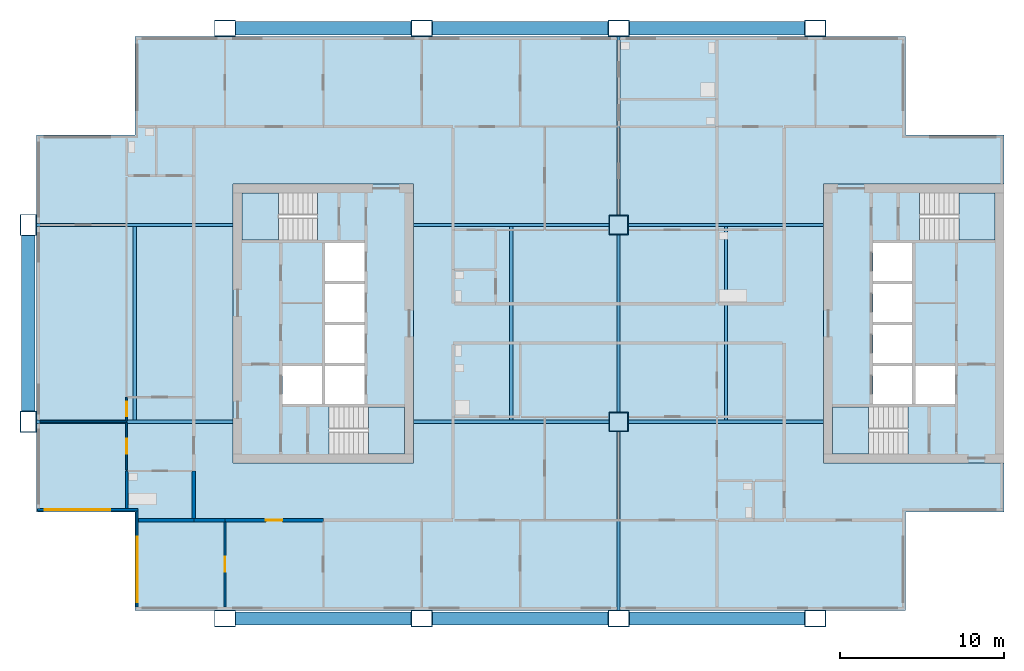
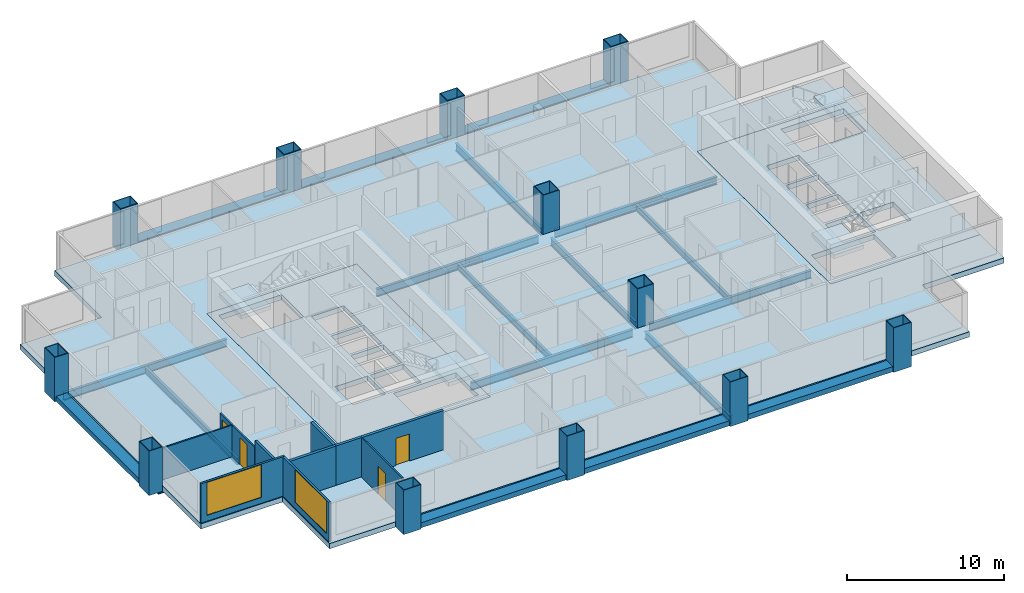
# One storey, part 1 of 9: 19 beams, 12 columns, 11 walls, 7 slabs, 4 doors, 2 windows, 6 openings, 4 elements without a shape of their own.
"""IFC4 building model written with IfcOpenShell, lengths in metres."""

from ifc_helpers import new_model, si_unit, direction, frame, frame_2d, origin, origin_2d, place, context, subcontext, project, spatial, polyline, rectangle, hollow_rectangle, i_section, outline, extrude, material, layer, layer_set, material_profile, profile_set, type_object, element, fill, aggregate, save


model = new_model("IFC4")

# Units and contexts
model_context = context("Model", 3, precision=1e-05, world=origin(), true_north=direction((0.0, 1.0)))
body_context = subcontext(model_context, "Body", "Model", "MODEL_VIEW")
ifc_project = project(units=[si_unit("LENGTHUNIT", "METRE"), si_unit("AREAUNIT", "SQUARE_METRE"), si_unit("VOLUMEUNIT", "CUBIC_METRE"), si_unit("PLANEANGLEUNIT", "RADIAN"), si_unit("MASSUNIT", "GRAM", prefix="KILO")], contexts=[model_context])

# Site, building, storey
site_placement = place(None, origin())
site = spatial("IfcSite", under=ifc_project, at=site_placement, CompositionType="ELEMENT")
building_placement = place(site_placement, origin())
building = spatial("IfcBuilding", under=site, at=building_placement, Name="Kitamizu Gate Tower and Museum", CompositionType="ELEMENT")
storey_placement = place(building_placement, frame((0.0, 0.0, 178.949951171875)))
storey = spatial("IfcBuildingStorey", under=building, at=storey_placement, Name="L47", CompositionType="ELEMENT", Elevation=178.949951171875)

# Columns
ifc_material_1 = material(Name="Steel SM490A bronze coated", Category="steel")
ifc_material_profile_1 = material_profile(ifc_material_1, hollow_rectangle(XDim=1.300048828125, YDim=1.0, WallThickness=0.050048828125, at=origin_2d()), Name="BOX 1300x1000x50")
ifc_profile_set_1 = profile_set([ifc_material_profile_1], Name="Steel SM490A bronze coated")
column_type_1 = type_object("IfcColumnType", Name="Exoskeleton column XC6 BOX 1300x1000x50", PredefinedType="COLUMN", material=ifc_profile_set_1)
for number, where, z_axis, x_axis, name in (
    (1, (0.0, 24.0, -0.39990234375), (0.0, 0.0, 1.0), (0.0, 1.0, 0.0), "Column XC6 1C L47"),
    (2, (0.0, 36.0, -0.39990234375), (0.0, 0.0, 1.0), (0.0, 1.0, 0.0), "Column XC6 1D L47"),
    (3, (12.0, 12.0, -0.39990234375), (0.0, 0.0, 1.0), (1.0, 0.0, 0.0), "Column XC6 2B L47"),
    (4, (12.0, 48.0, -0.39990234375), (0.0, 0.0, 1.0), (1.0, 0.0, 0.0), "Column XC6 2E L47"),
    (5, (24.0, 12.0, -0.39990234375), (0.0, 0.0, 1.0), (1.0, 0.0, 0.0), "Column XC6 3B L47"),
    (6, (24.0, 48.0, -0.39990234375), (0.0, 0.0, 1.0), (1.0, 0.0, 0.0), "Column XC6 3E L47"),
    (7, (36.0, 12.0, -0.39990234375), (0.0, 0.0, 1.0), (1.0, 0.0, 0.0), "Column XC6 4B L47"),
    (8, (36.0, 48.0, -0.39990234375), (0.0, 0.0, 1.0), (1.0, 0.0, 0.0), "Column XC6 4E L47"),
    (9, (48.0, 12.0, -0.39990234375), (0.0, 0.0, 1.0), (1.0, 0.0, 0.0), "Column XC6 5B L47"),
    (10, (48.0, 48.0, -0.39990234375), (0.0, 0.0, 1.0), (1.0, 0.0, 0.0), "Column XC6 5E L47"),
):
    element("IfcColumn", number, at=place(storey_placement, frame(where, z_axis=z_axis, x_axis=x_axis)), inside=storey, type_object=column_type_1, Name=name, PredefinedType="COLUMN", context=body_context, shape_type="SweptSolid", body=[
        extrude(hollow_rectangle(XDim=1.300048828125, YDim=1.0, WallThickness=0.050048828125, at=origin_2d()), origin(), (0.0, 0.0, 1.0), 3.449951171875),
    ])
ifc_material_2 = material(Name="Steel SM490A", Category="steel")
ifc_material_profile_2 = material_profile(ifc_material_2, hollow_rectangle(XDim=1.199951171875, YDim=1.199951171875, WallThickness=0.050048828125, at=origin_2d()), Name="BOX 1200x1200x50")
ifc_profile_set_2 = profile_set([ifc_material_profile_2], Name="Steel SM490A")
column_type_2 = type_object("IfcColumnType", Name="Interior column IC4 BOX 1200x1200x50", PredefinedType="COLUMN", material=ifc_profile_set_2)
for number, where, z_axis, x_axis, name in (
    (11, (36.0, 24.0, 0.0), (0.0, 0.0, 1.0), (1.0, 0.0, 0.0), "Column IC4 4C L47"),
    (12, (36.0, 36.0, 0.0), (0.0, 0.0, 1.0), (1.0, 0.0, 0.0), "Column IC4 4D L47"),
):
    element("IfcColumn", number, at=place(storey_placement, frame(where, z_axis=z_axis, x_axis=x_axis)), inside=storey, type_object=column_type_2, Name=name, PredefinedType="COLUMN", context=body_context, shape_type="SweptSolid", body=[
        extrude(hollow_rectangle(XDim=1.199951171875, YDim=1.199951171875, WallThickness=0.050048828125, at=origin_2d()), origin(), (0.0, 0.0, 1.0), 3.050048828125),
    ])

# Beams
ifc_material_3 = material(Name="Steel SM490A bronze coated", Category="steel")
ifc_material_profile_3 = material_profile(ifc_material_3, hollow_rectangle(XDim=0.800048828125, YDim=0.39990234375, WallThickness=0.0400390625, at=origin_2d()), Name="BOX 800x400x40")
ifc_profile_set_3 = profile_set([ifc_material_profile_3], Name="Steel SM490A bronze coated")
beam_type_1 = type_object("IfcBeamType", Name="Exoskeleton spandrel beam SB1 BOX 800x400x40", PredefinedType="SPANDREL", material=ifc_profile_set_3)
for number, where, z_axis, x_axis, name in (
    (13, (12.64990234375, 12.0, -0.199951171875), (1.0, 0.0, 0.0), (0.0, 1.0, 0.0), "Exoskeleton spandrel beam south 12 L47"),
    (14, (24.64990234375, 12.0, -0.199951171875), (1.0, 0.0, 0.0), (0.0, 1.0, 0.0), "Exoskeleton spandrel beam south 24 L47"),
    (15, (36.64990234375, 12.0, -0.199951171875), (1.0, 0.0, 0.0), (0.0, 1.0, 0.0), "Exoskeleton spandrel beam south 36 L47"),
    (16, (12.64990234375, 48.0, -0.199951171875), (1.0, 0.0, 0.0), (0.0, 1.0, 0.0), "Exoskeleton spandrel beam north 12 L47"),
    (17, (24.64990234375, 48.0, -0.199951171875), (1.0, 0.0, 0.0), (0.0, 1.0, 0.0), "Exoskeleton spandrel beam north 24 L47"),
    (18, (36.64990234375, 48.0, -0.199951171875), (1.0, 0.0, 0.0), (0.0, 1.0, 0.0), "Exoskeleton spandrel beam north 36 L47"),
    (19, (0.0, 24.64990234375, -0.199951171875), (0.0, 1.0, 0.0), (-1.0, 0.0, 0.0), "Exoskeleton spandrel beam west 24 L47"),
):
    element("IfcBeam", number, at=place(storey_placement, frame(where, z_axis=z_axis, x_axis=x_axis)), inside=storey, type_object=beam_type_1, Name=name, PredefinedType="SPANDREL", context=body_context, shape_type="SweptSolid", body=[
        extrude(hollow_rectangle(XDim=0.800048828125, YDim=0.39990234375, WallThickness=0.0400390625, at=origin_2d()), origin(), (0.0, 0.0, 1.0), 10.7001953125),
    ])
ifc_material_4 = material(Name="Steel SM490A", Category="steel")
ifc_material_profile_4 = material_profile(ifc_material_4, i_section(OverallWidth=0.199951171875, OverallDepth=0.5, WebThickness=0.010009765625, FlangeThickness=0.01611328125, FilletRadius=0.02001953125, at=origin_2d()), Name="H-500x200x10x16")
ifc_profile_set_4 = profile_set([ifc_material_profile_4], Name="Steel SM490A")
beam_type_2 = type_object("IfcBeamType", Name="Floor beam FB1 H 500x200x10x16", PredefinedType="BEAM", material=ifc_profile_set_4)
for number, where, z_axis, x_axis, name in (
    (20, (6.5, 24.10009765625, -0.64990234375), (0.0, 1.0, 0.0), (-1.0, 0.0, 0.0), "Floor beam FB1 L47-1"),
    (21, (29.449951171875, 24.10009765625, -0.64990234375), (0.0, 1.0, 0.0), (-1.0, 0.0, 0.0), "Floor beam FB1 L47-2"),
    (22, (42.550048828125, 24.10009765625, -0.64990234375), (0.0, 1.0, 0.0), (-1.0, 0.0, 0.0), "Floor beam FB1 L47-3"),
):
    element("IfcBeam", number, at=place(storey_placement, frame(where, z_axis=z_axis, x_axis=x_axis)), inside=storey, type_object=beam_type_2, Name=name, PredefinedType="BEAM", context=body_context, shape_type="SweptSolid", body=[
        extrude(i_section(OverallWidth=0.199951171875, OverallDepth=0.5, WebThickness=0.010009765625, FlangeThickness=0.01611328125, FilletRadius=0.02001953125, at=origin_2d()), origin(), (0.0, 0.0, 1.0), 11.7998046875),
    ])
ifc_material_5 = material(Name="Steel SM490A", Category="steel")
ifc_material_profile_5 = material_profile(ifc_material_5, i_section(OverallWidth=0.199951171875, OverallDepth=0.60009765625, WebThickness=0.010986328125, FlangeThickness=0.01708984375, FilletRadius=0.02197265625, at=origin_2d()), Name="H-600x200x11x17")
ifc_profile_set_5 = profile_set([ifc_material_profile_5], Name="Steel SM490A")
beam_type_3 = type_object("IfcBeamType", Name="Floor girder FG1 H 600x200x11x17", PredefinedType="BEAM", material=ifc_profile_set_5)
beam_1_placement = place(storey_placement, frame((36.0, 12.5, -0.699951171875), z_axis=(0.0, 1.0, 0.0), x_axis=(-1.0, 0.0, 0.0)))
element("IfcBeam", 23, at=beam_1_placement, inside=storey, type_object=beam_type_3, Name="Floor girder FG1 x36 L47", PredefinedType="BEAM", context=body_context, shape_type="SweptSolid", body=[
    extrude(i_section(OverallWidth=0.199951171875, OverallDepth=0.60009765625, WebThickness=0.010986328125, FlangeThickness=0.01708984375, FilletRadius=0.02197265625, at=origin_2d()), origin(), (0.0, 0.0, 1.0), 10.89990234375),
])
beam_2_placement = place(storey_placement, frame((36.0, 24.60009765625, -0.699951171875), z_axis=(0.0, 1.0, 0.0), x_axis=(-1.0, 0.0, 0.0)))
element("IfcBeam", 24, at=beam_2_placement, inside=storey, type_object=beam_type_3, Name="Floor girder FG1 x36 L47", PredefinedType="BEAM", context=body_context, shape_type="SweptSolid", body=[
    extrude(i_section(OverallWidth=0.199951171875, OverallDepth=0.60009765625, WebThickness=0.010986328125, FlangeThickness=0.01708984375, FilletRadius=0.02197265625, at=origin_2d()), origin(), (0.0, 0.0, 1.0), 10.7998046875),
])
beam_3_placement = place(storey_placement, frame((36.0, 36.60009765625, -0.699951171875), z_axis=(0.0, 1.0, 0.0), x_axis=(-1.0, 0.0, 0.0)))
element("IfcBeam", 25, at=beam_3_placement, inside=storey, type_object=beam_type_3, Name="Floor girder FG1 x36 L47", PredefinedType="BEAM", context=body_context, shape_type="SweptSolid", body=[
    extrude(i_section(OverallWidth=0.199951171875, OverallDepth=0.60009765625, WebThickness=0.010986328125, FlangeThickness=0.01708984375, FilletRadius=0.02197265625, at=origin_2d()), origin(), (0.0, 0.0, 1.0), 10.89990234375),
])
beam_4_placement = place(storey_placement, frame((0.5, 24.0, -0.699951171875), z_axis=(1.0, 0.0, 0.0), x_axis=(0.0, 1.0, 0.0)))
element("IfcBeam", 26, at=beam_4_placement, inside=storey, type_object=beam_type_3, Name="Floor girder FG1 y24 L47", PredefinedType="BEAM", context=body_context, shape_type="SweptSolid", body=[
    extrude(i_section(OverallWidth=0.199951171875, OverallDepth=0.60009765625, WebThickness=0.010986328125, FlangeThickness=0.01708984375, FilletRadius=0.02197265625, at=origin_2d()), origin(), (0.0, 0.0, 1.0), 12.0),
])
for number, where, z_axis, x_axis, name in (
    (27, (23.5, 24.0, -0.699951171875), (1.0, 0.0, 0.0), (0.0, 1.0, 0.0), "Floor girder FG1 y24 L47"),
    (28, (36.60009765625, 24.0, -0.699951171875), (1.0, 0.0, 0.0), (0.0, 1.0, 0.0), "Floor girder FG1 y24 L47"),
):
    element("IfcBeam", number, at=place(storey_placement, frame(where, z_axis=z_axis, x_axis=x_axis)), inside=storey, type_object=beam_type_3, Name=name, PredefinedType="BEAM", context=body_context, shape_type="SweptSolid", body=[
        extrude(i_section(OverallWidth=0.199951171875, OverallDepth=0.60009765625, WebThickness=0.010986328125, FlangeThickness=0.01708984375, FilletRadius=0.02197265625, at=origin_2d()), origin(), (0.0, 0.0, 1.0), 11.89990234375),
    ])
beam_5_placement = place(storey_placement, frame((0.5, 36.0, -0.699951171875), z_axis=(1.0, 0.0, 0.0), x_axis=(0.0, 1.0, 0.0)))
element("IfcBeam", 29, at=beam_5_placement, inside=storey, type_object=beam_type_3, Name="Floor girder FG1 y36 L47", PredefinedType="BEAM", context=body_context, shape_type="SweptSolid", body=[
    extrude(i_section(OverallWidth=0.199951171875, OverallDepth=0.60009765625, WebThickness=0.010986328125, FlangeThickness=0.01708984375, FilletRadius=0.02197265625, at=origin_2d()), origin(), (0.0, 0.0, 1.0), 12.0),
])
for number, where, z_axis, x_axis, name in (
    (30, (23.5, 36.0, -0.699951171875), (1.0, 0.0, 0.0), (0.0, 1.0, 0.0), "Floor girder FG1 y36 L47"),
    (31, (36.60009765625, 36.0, -0.699951171875), (1.0, 0.0, 0.0), (0.0, 1.0, 0.0), "Floor girder FG1 y36 L47"),
):
    element("IfcBeam", number, at=place(storey_placement, frame(where, z_axis=z_axis, x_axis=x_axis)), inside=storey, type_object=beam_type_3, Name=name, PredefinedType="BEAM", context=body_context, shape_type="SweptSolid", body=[
        extrude(i_section(OverallWidth=0.199951171875, OverallDepth=0.60009765625, WebThickness=0.010986328125, FlangeThickness=0.01708984375, FilletRadius=0.02197265625, at=origin_2d()), origin(), (0.0, 0.0, 1.0), 11.89990234375),
    ])

# Slabs
ifc_material_6 = material(Name="Concrete Fc36", Category="concrete")
ifc_layer_1 = layer(ifc_material_6, 0.39990234375)
ifc_layer_set_1 = layer_set([ifc_layer_1], Name="Concrete Fc36")
slab_type_1 = type_object("IfcSlabType", Name="Core floor slab 400", PredefinedType="FLOOR", material=ifc_layer_set_1)
slab_1_placement = place(storey_placement, frame((0.0, 0.0, -0.39990234375)))
element("IfcSlab", 32, at=slab_1_placement, inside=storey, type_object=slab_type_1, Name="Core floor slab W", PredefinedType="FLOOR", context=body_context, shape_type="SweptSolid", body=[
    extrude(outline(polyline([(12.5, 21.5), (23.5, 21.5), (23.5, 38.5), (12.5, 38.5), (12.5, 21.5)]), holes=[polyline([(15.5, 25.10009765625), (17.89990234375, 25.10009765625), (17.89990234375, 27.39990234375), (15.5, 27.39990234375), (15.5, 25.10009765625)]), polyline([(18.10009765625, 25.10009765625), (20.5, 25.10009765625), (20.5, 27.39990234375), (18.10009765625, 27.39990234375), (18.10009765625, 25.10009765625)]), polyline([(18.10009765625, 27.60009765625), (20.5, 27.60009765625), (20.5, 29.89990234375), (18.10009765625, 29.89990234375), (18.10009765625, 27.60009765625)]), polyline([(18.10009765625, 30.10009765625), (20.5, 30.10009765625), (20.5, 32.39990234375), (18.10009765625, 32.39990234375), (18.10009765625, 30.10009765625)]), polyline([(18.10009765625, 32.60009765625), (20.5, 32.60009765625), (20.5, 34.89990234375), (18.10009765625, 34.89990234375), (18.10009765625, 32.60009765625)]), polyline([(18.3505859375, 22.050048828125), (22.949951171875, 22.050048828125), (22.949951171875, 24.89990234375), (18.3505859375, 24.89990234375), (18.3505859375, 22.050048828125)]), polyline([(13.050048828125, 35.10009765625), (17.6494140625, 35.10009765625), (17.6494140625, 37.949951171875), (13.050048828125, 37.949951171875), (13.050048828125, 35.10009765625)])]), origin(), (0.0, 0.0, 1.0), 0.39990234375),
])
slab_2_placement = place(storey_placement, frame((0.0, 0.0, -0.39990234375)))
element("IfcSlab", 33, at=slab_2_placement, inside=storey, type_object=slab_type_1, Name="Core floor slab E", PredefinedType="FLOOR", context=body_context, shape_type="SweptSolid", body=[
    extrude(outline(polyline([(48.5, 21.5), (59.5, 21.5), (59.5, 38.5), (48.5, 38.5), (48.5, 21.5)]), holes=[polyline([(54.10009765625, 25.10009765625), (56.5, 25.10009765625), (56.5, 27.39990234375), (54.10009765625, 27.39990234375), (54.10009765625, 25.10009765625)]), polyline([(51.5, 25.10009765625), (53.89990234375, 25.10009765625), (53.89990234375, 27.39990234375), (51.5, 27.39990234375), (51.5, 25.10009765625)]), polyline([(51.5, 27.60009765625), (53.89990234375, 27.60009765625), (53.89990234375, 29.89990234375), (51.5, 29.89990234375), (51.5, 27.60009765625)]), polyline([(51.5, 30.10009765625), (53.89990234375, 30.10009765625), (53.89990234375, 32.39990234375), (51.5, 32.39990234375), (51.5, 30.10009765625)]), polyline([(51.5, 32.60009765625), (53.89990234375, 32.60009765625), (53.89990234375, 34.89990234375), (51.5, 34.89990234375), (51.5, 32.60009765625)]), polyline([(49.050048828125, 22.050048828125), (53.6494140625, 22.050048828125), (53.6494140625, 24.89990234375), (49.050048828125, 24.89990234375), (49.050048828125, 22.050048828125)]), polyline([(54.3505859375, 35.10009765625), (58.949951171875, 35.10009765625), (58.949951171875, 37.949951171875), (54.3505859375, 37.949951171875), (54.3505859375, 35.10009765625)])]), origin(), (0.0, 0.0, 1.0), 0.39990234375),
])
ifc_material_7 = material(Name="Concrete Fc36", Category="concrete")
ifc_layer_2 = layer(ifc_material_7, 0.39990234375)
ifc_layer_set_2 = layer_set([ifc_layer_2], Name="Concrete Fc36")
slab_type_2 = type_object("IfcSlabType", Name="Post tensioned flat slab 400", PredefinedType="FLOOR", material=ifc_layer_set_2)
slab_3_placement = place(storey_placement, frame((0.0, 0.0, -0.39990234375)))
element("IfcSlab", 34, at=slab_3_placement, inside=storey, type_object=slab_type_2, Name="Floor slab L47-1", PredefinedType="FLOOR", context=body_context, shape_type="SweptSolid", body=[
    extrude(outline(polyline([(0.5, 18.5), (0.5, 41.5), (6.5, 41.5), (6.5, 47.5), (53.5, 47.5), (53.5, 41.5), (59.5, 41.5), (59.5, 38.5), (48.5, 38.5), (48.5, 21.5), (59.5, 21.5), (59.5, 18.5), (53.5, 18.5), (53.5, 12.5), (6.5, 12.5), (6.5, 18.5), (0.5, 18.5)]), holes=[polyline([(12.5, 38.5), (12.5, 21.5), (23.5, 21.5), (23.5, 38.5), (12.5, 38.5)])]), origin(), (0.0, 0.0, 1.0), 0.39990234375),
])

# Stair, slab
ifc_material_8 = material(Name="Concrete Fc42", Category="concrete")
stair_type = type_object("IfcStairType", Name="Exit stair 1325 wide 192 rise 300 going", PredefinedType="HALF_TURN_STAIR", material=ifc_material_8)
stair_1_placement = place(storey_placement, origin())
stair_1 = element("IfcStair", 35, at=stair_1_placement, inside=storey, type_object=stair_type, Name="Exit stair ST1", PredefinedType="HALF_TURN_STAIR")
ifc_material_9 = material(Name="Concrete Fc42", Category="concrete")
ifc_layer_3 = layer(ifc_material_9, 0.300048828125)
ifc_layer_set_3 = layer_set([ifc_layer_3], Name="Concrete Fc42")
slab_type_3 = type_object("IfcSlabType", Name="Stair landing 300", PredefinedType="LANDING", material=ifc_layer_set_3)
slab_4_placement = place(storey_placement, frame((0.0, 0.0, 1.425048828125)))
slab_4 = element("IfcSlab", 36, at=slab_4_placement, type_object=slab_type_3, Name="ST1 landing 1", PredefinedType="LANDING", context=body_context, shape_type="SweptSolid", body=[
    extrude(outline(polyline([(20.75, 22.050048828125), (22.949951171875, 22.050048828125), (22.949951171875, 24.89990234375), (20.75, 24.89990234375), (20.75, 22.050048828125)])), origin(), (0.0, 0.0, 1.0), 0.300048828125),
])
aggregate(stair_1, [slab_4])

stair_2_placement = place(storey_placement, origin())
stair_2 = element("IfcStair", 37, at=stair_2_placement, inside=storey, type_object=stair_type, Name="Exit stair ST2", PredefinedType="HALF_TURN_STAIR")
slab_5_placement = place(storey_placement, frame((0.0, 0.0, 1.425048828125)))
slab_5 = element("IfcSlab", 38, at=slab_5_placement, type_object=slab_type_3, Name="ST2 landing 1", PredefinedType="LANDING", context=body_context, shape_type="SweptSolid", body=[
    extrude(outline(polyline([(13.050048828125, 35.10009765625), (15.25, 35.10009765625), (15.25, 37.949951171875), (13.050048828125, 37.949951171875), (13.050048828125, 35.10009765625)])), origin(), (0.0, 0.0, 1.0), 0.300048828125),
])
aggregate(stair_2, [slab_5])

stair_3_placement = place(storey_placement, origin())
stair_3 = element("IfcStair", 39, at=stair_3_placement, inside=storey, type_object=stair_type, Name="Exit stair ST3", PredefinedType="HALF_TURN_STAIR")
slab_6_placement = place(storey_placement, frame((0.0, 0.0, 1.425048828125)))
slab_6 = element("IfcSlab", 40, at=slab_6_placement, type_object=slab_type_3, Name="ST3 landing 1", PredefinedType="LANDING", context=body_context, shape_type="SweptSolid", body=[
    extrude(outline(polyline([(49.050048828125, 22.050048828125), (51.25, 22.050048828125), (51.25, 24.89990234375), (49.050048828125, 24.89990234375), (49.050048828125, 22.050048828125)])), origin(), (0.0, 0.0, 1.0), 0.300048828125),
])
aggregate(stair_3, [slab_6])

stair_4_placement = place(storey_placement, origin())
stair_4 = element("IfcStair", 41, at=stair_4_placement, inside=storey, type_object=stair_type, Name="Exit stair ST4", PredefinedType="HALF_TURN_STAIR")
slab_7_placement = place(storey_placement, frame((0.0, 0.0, 1.425048828125)))
slab_7 = element("IfcSlab", 42, at=slab_7_placement, type_object=slab_type_3, Name="ST4 landing 1", PredefinedType="LANDING", context=body_context, shape_type="SweptSolid", body=[
    extrude(outline(polyline([(56.75, 35.10009765625), (58.949951171875, 35.10009765625), (58.949951171875, 37.949951171875), (56.75, 37.949951171875), (56.75, 35.10009765625)])), origin(), (0.0, 0.0, 1.0), 0.300048828125),
])
aggregate(stair_4, [slab_7])

# Wall, opening, door
ifc_material_10 = material(Name="Gypsum board on galvanised stud")
ifc_layer_4 = layer(ifc_material_10, 0.10009765625)
ifc_layer_set_4 = layer_set([ifc_layer_4], Name="Gypsum board on galvanised stud")
wall_type_1 = type_object("IfcWallType", Name="Partition 100 NOT RATED", PredefinedType="PARTITIONING", material=ifc_layer_set_4)
wall_1_placement = place(storey_placement, frame((12.0, 12.719970703125, 0.0), z_axis=(0.0, 0.0, 1.0), x_axis=(0.0, 1.0, 0.0)))
wall_1 = element("IfcWall", 43, at=wall_1_placement, inside=storey, type_object=wall_type_1, Name="Partition L47-001", PredefinedType="PARTITIONING", context=body_context, shape_type="SweptSolid", body=[
    extrude(rectangle(XDim=5.179931640625, YDim=0.10009765625, at=frame_2d((2.58984375, 0.0))), origin(), (0.0, 0.0, 1.0), 3.050048828125),
])
opening_1_placement = place(wall_1_placement, frame((2.139892578125, 0.0, 0.0)))
opening_1 = element("IfcOpeningElement", 44, at=opening_1_placement, cuts=wall_1, Name="Opening L47-002", PredefinedType="OPENING", context=body_context, shape_type="SweptSolid", body=[
    extrude(rectangle(XDim=0.89990234375, YDim=2.10009765625, at=frame_2d((0.449951171875, 1.050048828125))), frame((0.0, 0.06005859375, 0.0), z_axis=(0.0, -1.0, 0.0), x_axis=(1.0, 0.0, 0.0)), (0.0, 0.0, 1.0), 0.1201171875),
])
ifc_material_11 = material(Name="Timber door set", Category="wood")
door_type_1 = type_object("IfcDoorType", Name="Room door 900", OperationType="NOTDEFINED", PredefinedType="DOOR", material=ifc_material_11)
door_1_placement = place(opening_1_placement, origin())
door_1 = element("IfcDoor", 45, at=door_1_placement, inside=storey, type_object=door_type_1, Name="Door L47-002", OperationType="SINGLE_SWING_LEFT", OverallHeight=2.10009765625, OverallWidth=0.89990234375, PredefinedType="DOOR", context=body_context, shape_type="SweptSolid", body=[
    extrude(rectangle(XDim=0.89990234375, YDim=2.10009765625, at=frame_2d((0.449951171875, 1.050048828125))), frame((0.0, 0.02490234375, 0.0), z_axis=(0.0, -1.0, 0.0), x_axis=(1.0, 0.0, 0.0)), (0.0, 0.0, 1.0), 0.050048828125),
])
fill(opening_1, door_1)

# Wall
wall_2_placement = place(storey_placement, frame((6.0, 24.0, 0.0), z_axis=(0.0, 0.0, 1.0), x_axis=(-1.0, 0.0, 0.0)))
element("IfcWall", 46, at=wall_2_placement, inside=storey, type_object=wall_type_1, Name="Partition L47-079", PredefinedType="PARTITIONING", context=body_context, shape_type="SweptSolid", body=[
    extrude(rectangle(XDim=5.280029296875, YDim=0.10009765625, at=frame_2d((2.64013671875, 0.0))), origin(), (0.0, 0.0, 1.0), 2.449951171875),
])

# Wall, opening, door
wall_3_placement = place(storey_placement, frame((6.0, 21.074951171875, 0.0), z_axis=(0.0, 0.0, 1.0), x_axis=(0.0, 1.0, 0.0)))
wall_3 = element("IfcWall", 47, at=wall_3_placement, inside=storey, type_object=wall_type_1, Name="Partition L47-081", PredefinedType="PARTITIONING", context=body_context, shape_type="SweptSolid", body=[
    extrude(rectangle(XDim=2.875, YDim=0.10009765625, at=frame_2d((1.4375, 0.0))), origin(), (0.0, 0.0, 1.0), 2.449951171875),
])
opening_2_placement = place(wall_3_placement, frame((0.987548828125, 0.0, 0.0)))
opening_2 = element("IfcOpeningElement", 48, at=opening_2_placement, cuts=wall_3, Name="Opening L47-029", PredefinedType="OPENING", context=body_context, shape_type="SweptSolid", body=[
    extrude(rectangle(XDim=0.89990234375, YDim=2.10009765625, at=frame_2d((0.449951171875, 1.050048828125))), frame((0.0, 0.06005859375, 0.0), z_axis=(0.0, -1.0, 0.0), x_axis=(1.0, 0.0, 0.0)), (0.0, 0.0, 1.0), 0.1201171875),
])
door_2_placement = place(opening_2_placement, origin())
door_2 = element("IfcDoor", 49, at=door_2_placement, inside=storey, type_object=door_type_1, Name="Door L47-029", OperationType="SINGLE_SWING_LEFT", OverallHeight=2.10009765625, OverallWidth=0.89990234375, PredefinedType="DOOR", context=body_context, shape_type="SweptSolid", body=[
    extrude(rectangle(XDim=0.89990234375, YDim=2.10009765625, at=frame_2d((0.449951171875, 1.050048828125))), frame((0.0, 0.02490234375, 0.0), z_axis=(0.0, -1.0, 0.0), x_axis=(1.0, 0.0, 0.0)), (0.0, 0.0, 1.0), 0.050048828125),
])
fill(opening_2, door_2)

wall_4_placement = place(storey_placement, frame((6.0, 24.050048828125, 0.0), z_axis=(0.0, 0.0, 1.0), x_axis=(0.0, 1.0, 0.0)))
wall_4 = element("IfcWall", 50, at=wall_4_placement, inside=storey, type_object=wall_type_1, Name="Partition L47-083", PredefinedType="PARTITIONING", context=body_context, shape_type="SweptSolid", body=[
    extrude(rectangle(XDim=1.449951171875, YDim=0.10009765625, at=frame_2d((0.72509765625, 0.0))), origin(), (0.0, 0.0, 1.0), 2.449951171875),
])
opening_3_placement = place(wall_4_placement, frame((0.27490234375, 0.0, 0.0)))
opening_3 = element("IfcOpeningElement", 51, at=opening_3_placement, cuts=wall_4, Name="Opening L47-030", PredefinedType="OPENING", context=body_context, shape_type="SweptSolid", body=[
    extrude(rectangle(XDim=0.89990234375, YDim=2.10009765625, at=frame_2d((0.449951171875, 1.050048828125))), frame((0.0, 0.06005859375, 0.0), z_axis=(0.0, -1.0, 0.0), x_axis=(1.0, 0.0, 0.0)), (0.0, 0.0, 1.0), 0.1201171875),
])
door_3_placement = place(opening_3_placement, origin())
door_3 = element("IfcDoor", 52, at=door_3_placement, inside=storey, type_object=door_type_1, Name="Door L47-030", OperationType="SINGLE_SWING_RIGHT", OverallHeight=2.10009765625, OverallWidth=0.89990234375, PredefinedType="DOOR", context=body_context, shape_type="SweptSolid", body=[
    extrude(rectangle(XDim=0.89990234375, YDim=2.10009765625, at=frame_2d((0.449951171875, 1.050048828125))), frame((0.0, 0.02490234375, 0.0), z_axis=(0.0, -1.0, 0.0), x_axis=(1.0, 0.0, 0.0)), (0.0, 0.0, 1.0), 0.050048828125),
])
fill(opening_3, door_3)

# Walls
ifc_material_12 = material(Name="Gypsum board on galvanised stud")
ifc_layer_5 = layer(ifc_material_12, 0.14990234375)
ifc_layer_set_5 = layer_set([ifc_layer_5], Name="Gypsum board on galvanised stud")
wall_type_2 = type_object("IfcWallType", Name="Partition 150", PredefinedType="PARTITIONING", material=ifc_layer_set_5)
wall_5_placement = place(storey_placement, frame((6.0, 18.719970703125, 0.0), z_axis=(0.0, 0.0, 1.0), x_axis=(0.0, 1.0, 0.0)))
element("IfcWall", 53, at=wall_5_placement, inside=storey, type_object=wall_type_2, Name="Partition L47-080", PredefinedType="PARTITIONING", context=body_context, shape_type="SweptSolid", body=[
    extrude(rectangle(XDim=2.280029296875, YDim=0.14990234375, at=frame_2d((1.14013671875, 0.0))), origin(), (0.0, 0.0, 1.0), 3.050048828125),
])
ifc_material_13 = material(Name="Gypsum board on galvanised stud")
ifc_layer_6 = layer(ifc_material_13, 0.199951171875)
ifc_layer_set_6 = layer_set([ifc_layer_6], Name="Gypsum board on galvanised stud")
wall_type_3 = type_object("IfcWallType", Name="Partition 200", PredefinedType="PARTITIONING", material=ifc_layer_set_6)
wall_6_placement = place(storey_placement, frame((10.10009765625, 18.0, 0.0), z_axis=(0.0, 0.0, 1.0), x_axis=(-1.0, 0.0, 0.0)))
element("IfcWall", 54, at=wall_6_placement, inside=storey, type_object=wall_type_3, Name="Partition L47-002", PredefinedType="PARTITIONING", context=body_context, shape_type="SweptSolid", body=[
    extrude(rectangle(XDim=3.380126953125, YDim=0.199951171875, at=frame_2d((1.68994140625, 0.0))), origin(), (0.0, 0.0, 1.0), 3.050048828125),
])
wall_7_placement = place(storey_placement, frame((12.0, 18.0, 0.0), z_axis=(0.0, 0.0, 1.0), x_axis=(-1.0, 0.0, 0.0)))
element("IfcWall", 55, at=wall_7_placement, inside=storey, type_object=wall_type_3, Name="Partition L47-003", PredefinedType="PARTITIONING", context=body_context, shape_type="SweptSolid", body=[
    extrude(rectangle(XDim=1.89990234375, YDim=0.199951171875, at=frame_2d((0.949951171875, 0.0))), origin(), (0.0, 0.0, 1.0), 3.050048828125),
])

# Wall, opening, door
wall_8_placement = place(storey_placement, frame((18.0, 18.0, 0.0), z_axis=(0.0, 0.0, 1.0), x_axis=(-1.0, 0.0, 0.0)))
wall_8 = element("IfcWall", 56, at=wall_8_placement, inside=storey, type_object=wall_type_3, Name="Partition L47-005", PredefinedType="PARTITIONING", context=body_context, shape_type="SweptSolid", body=[
    extrude(rectangle(XDim=6.0, YDim=0.199951171875, at=frame_2d((3.0, 0.0))), origin(), (0.0, 0.0, 1.0), 3.050048828125),
])
opening_4_placement = place(wall_8_placement, frame((2.5, 0.0, 0.0)))
opening_4 = element("IfcOpeningElement", 57, at=opening_4_placement, cuts=wall_8, Name="Opening L47-001", PredefinedType="OPENING", context=body_context, shape_type="SweptSolid", body=[
    extrude(rectangle(XDim=1.0, YDim=2.10009765625, at=frame_2d((0.5, 1.050048828125))), frame((0.0, 0.10986328125, 0.0), z_axis=(0.0, -1.0, 0.0), x_axis=(1.0, 0.0, 0.0)), (0.0, 0.0, 1.0), 0.219970703125),
])
ifc_material_14 = material(Name="Timber door set", Category="wood")
door_type_2 = type_object("IfcDoorType", Name="Flat entrance door 1000", OperationType="NOTDEFINED", PredefinedType="DOOR", material=ifc_material_14)
door_4_placement = place(opening_4_placement, origin())
door_4 = element("IfcDoor", 58, at=door_4_placement, inside=storey, type_object=door_type_2, Name="Flat entrance door L47-001", OperationType="SINGLE_SWING_RIGHT", OverallHeight=2.10009765625, OverallWidth=1.0, PredefinedType="DOOR", context=body_context, shape_type="SweptSolid", body=[
    extrude(rectangle(XDim=1.0, YDim=2.10009765625, at=frame_2d((0.5, 1.050048828125))), frame((0.0, 0.02490234375, 0.0), z_axis=(0.0, -1.0, 0.0), x_axis=(1.0, 0.0, 0.0)), (0.0, 0.0, 1.0), 0.050048828125),
])
fill(opening_4, door_4)

# Wall
wall_9_placement = place(storey_placement, frame((10.10009765625, 18.10009765625, 0.0), z_axis=(0.0, 0.0, 1.0), x_axis=(0.0, 1.0, 0.0)))
element("IfcWall", 59, at=wall_9_placement, inside=storey, type_object=wall_type_3, Name="Partition L47-088", PredefinedType="PARTITIONING", context=body_context, shape_type="SweptSolid", body=[
    extrude(rectangle(XDim=2.89990234375, YDim=0.199951171875, at=frame_2d((1.449951171875, 0.0))), origin(), (0.0, 0.0, 1.0), 3.050048828125),
])

# Wall, opening, window
ifc_material_15 = material(Name="Bronze anodised aluminium frame with insulated spandrel and tinted glass", Category="aluminium")
ifc_layer_7 = layer(ifc_material_15, 0.14990234375)
ifc_layer_set_7 = layer_set([ifc_layer_7], Name="Bronze anodised aluminium frame with insulated spandrel and tinted glass")
wall_type_4 = type_object("IfcWallType", Name="WINDOW WALL 150 BRONZE FRAME EI 30", PredefinedType="ELEMENTEDWALL", material=ifc_layer_set_7)
wall_10_placement = place(storey_placement, frame((0.56005859375, 18.635009765625, 0.0), z_axis=(0.0, 0.0, 1.0), x_axis=(1.0, 0.0, 0.0)))
wall_10 = element("IfcWall", 60, at=wall_10_placement, inside=storey, type_object=wall_type_4, Name="Window wall south L47", PredefinedType="ELEMENTEDWALL", context=body_context, shape_type="SweptSolid", body=[
    extrude(rectangle(XDim=6.14990234375, YDim=0.14990234375, at=frame_2d((3.074951171875, 0.0))), origin(), (0.0, 0.0, 1.0), 3.050048828125),
])
opening_5_placement = place(wall_10_placement, frame((0.43994140625, 0.0, 0.449951171875)))
opening_5 = element("IfcOpeningElement", 61, at=opening_5_placement, cuts=wall_10, Name="Opening W16", PredefinedType="OPENING", context=body_context, shape_type="SweptSolid", body=[
    extrude(rectangle(XDim=4.0, YDim=2.550048828125, at=frame_2d((2.0, 1.27490234375))), frame((0.0, 0.0849609375, 0.0), z_axis=(0.0, -1.0, 0.0), x_axis=(1.0, 0.0, 0.0)), (0.0, 0.0, 1.0), 0.169921875),
])
ifc_material_16 = material(Name="Bronze anodised aluminium frame, tinted triple glazing", Category="aluminium")
window_type = type_object("IfcWindowType", Name="WINDOW 4000 x 2550 SILL 450", PartitioningType="SINGLE_PANEL", PredefinedType="WINDOW", material=ifc_material_16)
window_1_placement = place(opening_5_placement, origin())
window_1 = element("IfcWindow", 62, at=window_1_placement, inside=storey, type_object=window_type, Name="Window W16 L47", OverallHeight=2.550048828125, OverallWidth=4.0, PartitioningType="SINGLE_PANEL", PredefinedType="WINDOW", context=body_context, shape_type="SweptSolid", body=[
    extrude(rectangle(XDim=4.0, YDim=2.550048828125, at=frame_2d((2.0, 1.27490234375))), frame((0.0, 0.030029296875, 0.0), z_axis=(0.0, -1.0, 0.0), x_axis=(1.0, 0.0, 0.0)), (0.0, 0.0, 1.0), 0.06005859375),
])
fill(opening_5, window_1)

wall_11_placement = place(storey_placement, frame((6.635009765625, 12.7099609375, 0.0), z_axis=(0.0, 0.0, 1.0), x_axis=(0.0, 1.0, 0.0)))
wall_11 = element("IfcWall", 63, at=wall_11_placement, inside=storey, type_object=wall_type_4, Name="Window wall west L47", PredefinedType="ELEMENTEDWALL", context=body_context, shape_type="SweptSolid", body=[
    extrude(rectangle(XDim=5.85009765625, YDim=0.14990234375, at=frame_2d((2.925048828125, 0.0))), origin(), (0.0, 0.0, 1.0), 3.050048828125),
])
opening_6_placement = place(wall_11_placement, frame((0.2900390625, 0.0, 0.449951171875)))
opening_6 = element("IfcOpeningElement", 64, at=opening_6_placement, cuts=wall_11, Name="Opening W16", PredefinedType="OPENING", context=body_context, shape_type="SweptSolid", body=[
    extrude(rectangle(XDim=4.0, YDim=2.550048828125, at=frame_2d((2.0, 1.27490234375))), frame((0.0, 0.0849609375, 0.0), z_axis=(0.0, -1.0, 0.0), x_axis=(1.0, 0.0, 0.0)), (0.0, 0.0, 1.0), 0.169921875),
])
window_2_placement = place(opening_6_placement, origin())
window_2 = element("IfcWindow", 65, at=window_2_placement, inside=storey, type_object=window_type, Name="Window W16 L47", OverallHeight=2.550048828125, OverallWidth=4.0, PartitioningType="SINGLE_PANEL", PredefinedType="WINDOW", context=body_context, shape_type="SweptSolid", body=[
    extrude(rectangle(XDim=4.0, YDim=2.550048828125, at=frame_2d((2.0, 1.27490234375))), frame((0.0, 0.030029296875, 0.0), z_axis=(0.0, -1.0, 0.0), x_axis=(1.0, 0.0, 0.0)), (0.0, 0.0, 1.0), 0.06005859375),
])
fill(opening_6, window_2)

save(model, "model.ifc")
